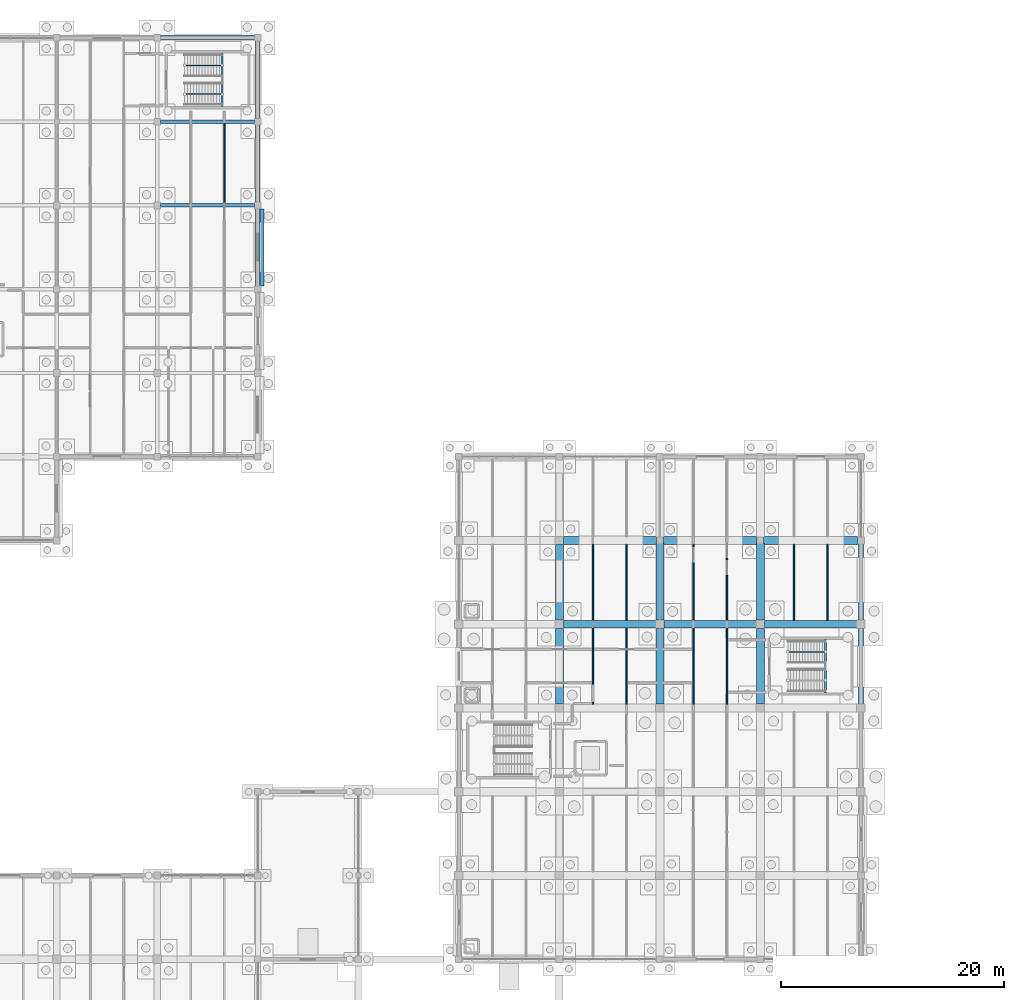
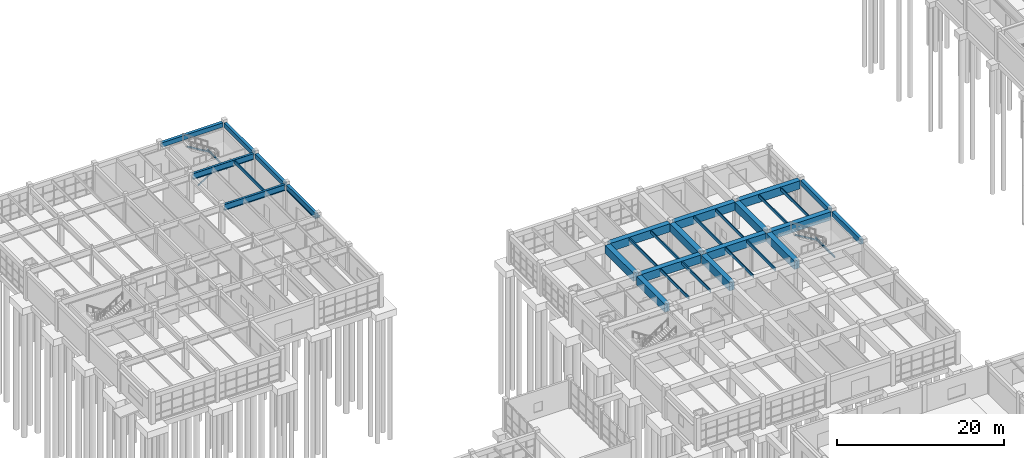
# One storey, part 37 of 93: 33 beams, 4 members.
"""IFC4 building model written with IfcOpenShell, lengths in metres."""

from ifc_helpers import new_model, si_unit, direction, frame, origin, origin_2d, place, context, subcontext, project, spatial, rectangle, hollow_rectangle, i_section, extrude, material, material_profile, profile_set, type_object, element, save


model = new_model("IFC4")

# Units and contexts
model_context = context("Model", 3, precision=1e-05, world=origin(), true_north=direction((0.0, 1.0)))
body_context = subcontext(model_context, "Body", "Model", "MODEL_VIEW")
ifc_project = project(units=[si_unit("LENGTHUNIT", "METRE"), si_unit("AREAUNIT", "SQUARE_METRE"), si_unit("VOLUMEUNIT", "CUBIC_METRE"), si_unit("PLANEANGLEUNIT", "RADIAN"), si_unit("MASSUNIT", "GRAM", prefix="KILO")], contexts=[model_context])

# Site, building, storey
site_placement = place(None, origin())
site = spatial("IfcSite", under=ifc_project, at=site_placement, CompositionType="ELEMENT")
building_placement = place(site_placement, origin())
building = spatial("IfcBuilding", under=site, at=building_placement, Name="Marnridge Secondary College", CompositionType="ELEMENT")
storey_placement = place(building_placement, origin())
storey = spatial("IfcBuildingStorey", under=building, at=storey_placement, Name="L00", CompositionType="ELEMENT", Elevation=0.0)

# Beams
ifc_material_1 = material(Name="Engineered timber LVL E13.2", Category="wood")
ifc_material_profile_1 = material_profile(ifc_material_1, rectangle(XDim=0.1259765625, YDim=0.449951171875, at=origin_2d()), Name="LVL 126x450")
ifc_profile_set_1 = profile_set([ifc_material_profile_1], Name="Engineered timber LVL E13.2")
beam_type_1 = type_object("IfcBeamType", Name="BM-LVL450-INT", PredefinedType="JOIST", material=ifc_profile_set_1)
for number, where, z_axis, x_axis, name in (
    (1, (66.0, 60.343994140625, 3.85498046875), (0.0, 1.0, 0.0), (-1.0, 0.0, 0.0), "Beam BJ-L00-0108"),
    (2, (69.0, 60.343994140625, 3.85498046875), (0.0, 1.0, 0.0), (-1.0, 0.0, 0.0), "Beam BJ-L00-0109"),
    (3, (66.0, 67.843994140625, 3.85498046875), (0.0, 1.0, 0.0), (-1.0, 0.0, 0.0), "Beam BJ-L00-0110"),
    (4, (69.0, 67.843994140625, 3.85498046875), (0.0, 1.0, 0.0), (-1.0, 0.0, 0.0), "Beam BJ-L00-0111"),
    (5, (75.0, 60.343994140625, 3.85498046875), (0.0, 1.0, 0.0), (-1.0, 0.0, 0.0), "Beam BJ-L00-0120"),
    (6, (78.0, 60.343994140625, 3.85498046875), (0.0, 1.0, 0.0), (-1.0, 0.0, 0.0), "Beam BJ-L00-0121"),
    (7, (75.0, 67.843994140625, 3.85498046875), (0.0, 1.0, 0.0), (-1.0, 0.0, 0.0), "Beam BJ-L00-0122"),
    (8, (78.0, 67.843994140625, 3.85498046875), (0.0, 1.0, 0.0), (-1.0, 0.0, 0.0), "Beam BJ-L00-0123"),
    (9, (84.0, 67.843994140625, 3.85498046875), (0.0, 1.0, 0.0), (-1.0, 0.0, 0.0), "Beam BJ-L00-0132"),
    (10, (87.0, 67.843994140625, 3.85498046875), (0.0, 1.0, 0.0), (-1.0, 0.0, 0.0), "Beam BJ-L00-0133"),
):
    element("IfcBeam", number, at=place(storey_placement, frame(where, z_axis=z_axis, x_axis=x_axis)), inside=storey, type_object=beam_type_1, Name=name, PredefinedType="JOIST", context=body_context, shape_type="SweptSolid", body=[
        extrude(rectangle(XDim=0.1259765625, YDim=0.449951171875, at=origin_2d()), origin(), (0.0, 0.0, 1.0), 6.81201171875),
    ])
beam_1_placement = place(storey_placement, frame((33.0, 105.14404296875, 3.875), z_axis=(0.0, 1.0, 0.0), x_axis=(-1.0, 0.0, 0.0)))
element("IfcBeam", 11, at=beam_1_placement, inside=storey, type_object=beam_type_1, Name="Beam BJ-L00-0310", PredefinedType="JOIST", context=body_context, shape_type="SweptSolid", body=[
    extrude(rectangle(XDim=0.1259765625, YDim=0.449951171875, at=origin_2d()), origin(), (0.0, 0.0, 1.0), 7.2119140625),
])
ifc_material_2 = material(Name="Concrete C40/50 (AS 3600 N40, 40 MPa)", Category="concrete")
ifc_material_profile_2 = material_profile(ifc_material_2, rectangle(XDim=0.39990234375, YDim=0.64990234375, at=origin_2d()), Name="RC 400x650")
ifc_profile_set_2 = profile_set([ifc_material_profile_2], Name="Concrete C40/50 (AS 3600 N40, 40 MPa)")
beam_type_2 = type_object("IfcBeamType", Name="BM-RC4065-EXT", PredefinedType="SPANDREL", material=ifc_profile_set_2)
for number, where, z_axis, x_axis, name in (
    (12, (36.0, 97.7939453125, 3.77490234375), (0.0, 1.0, 0.0), (-1.0, 0.0, 0.0), "Beam BS-L00-0266"),
    (13, (36.0, 105.2939453125, 3.77490234375), (0.0, 1.0, 0.0), (-1.0, 0.0, 0.0), "Beam BS-L00-0268"),
):
    element("IfcBeam", number, at=place(storey_placement, frame(where, z_axis=z_axis, x_axis=x_axis)), inside=storey, type_object=beam_type_2, Name=name, PredefinedType="SPANDREL", context=body_context, shape_type="SweptSolid", body=[
        extrude(rectangle(XDim=0.39990234375, YDim=0.64990234375, at=origin_2d()), origin(), (0.0, 0.0, 1.0), 6.912109375),
    ])
beam_2_placement = place(storey_placement, frame((27.2939453125, 120.0, 3.77490234375), z_axis=(1.0, 0.0, 0.0), x_axis=(0.0, 1.0, 0.0)))
element("IfcBeam", 14, at=beam_2_placement, inside=storey, type_object=beam_type_2, Name="Beam BS-L00-0269", PredefinedType="SPANDREL", context=body_context, shape_type="SweptSolid", body=[
    extrude(rectangle(XDim=0.39990234375, YDim=0.64990234375, at=origin_2d()), origin(), (0.0, 0.0, 1.0), 8.412109375),
])
beam_3_placement = place(storey_placement, frame((36.0, 112.7939453125, 3.77490234375), z_axis=(0.0, 1.0, 0.0), x_axis=(-1.0, 0.0, 0.0)))
element("IfcBeam", 15, at=beam_3_placement, inside=storey, type_object=beam_type_2, Name="Beam BS-L00-0270", PredefinedType="SPANDREL", context=body_context, shape_type="SweptSolid", body=[
    extrude(rectangle(XDim=0.39990234375, YDim=0.64990234375, at=origin_2d()), origin(), (0.0, 0.0, 1.0), 6.912109375),
])
ifc_material_3 = material(Name="Concrete C40/50 (AS 3600 N40, 40 MPa)", Category="concrete")
ifc_material_profile_3 = material_profile(ifc_material_3, rectangle(XDim=0.449951171875, YDim=0.75, at=origin_2d()), Name="RC 450x750")
ifc_profile_set_3 = profile_set([ifc_material_profile_3], Name="Concrete C40/50 (AS 3600 N40, 40 MPa)")
beam_type_3 = type_object("IfcBeamType", Name="BM-RC4575-EXT", PredefinedType="SPANDREL", material=ifc_profile_set_3)
beam_4_placement = place(storey_placement, frame((90.0, 60.368896484375, 3.705078125), z_axis=(0.0, 1.0, 0.0), x_axis=(-1.0, 0.0, 0.0)))
element("IfcBeam", 16, at=beam_4_placement, inside=storey, type_object=beam_type_3, Name="Beam BS-L00-0088", PredefinedType="SPANDREL", context=body_context, shape_type="SweptSolid", body=[
    extrude(rectangle(XDim=0.449951171875, YDim=0.75, at=origin_2d()), origin(), (0.0, 0.0, 1.0), 6.76220703125),
])
beam_5_placement = place(storey_placement, frame((90.0, 67.868896484375, 3.705078125), z_axis=(0.0, 1.0, 0.0), x_axis=(-1.0, 0.0, 0.0)))
element("IfcBeam", 17, at=beam_5_placement, inside=storey, type_object=beam_type_3, Name="Beam BS-L00-0090", PredefinedType="SPANDREL", context=body_context, shape_type="SweptSolid", body=[
    extrude(rectangle(XDim=0.449951171875, YDim=0.75, at=origin_2d()), origin(), (0.0, 0.0, 1.0), 6.837158203125),
])
ifc_material_4 = material(Name="Concrete C50/60 (AS 3600 N50, 50 MPa)", Category="concrete")
ifc_material_profile_4 = material_profile(ifc_material_4, rectangle(XDim=0.699951171875, YDim=1.199951171875, at=origin_2d()), Name="RC 700x1200")
ifc_profile_set_4 = profile_set([ifc_material_profile_4], Name="Concrete C50/60 (AS 3600 N50, 50 MPa)")
beam_type_4 = type_object("IfcBeamType", Name="BM-RC7012-INT", PredefinedType="BEAM", material=ifc_profile_set_4)
for number, where, z_axis, x_axis, name in (
    (18, (63.0, 60.368896484375, 3.47998046875), (0.0, 1.0, 0.0), (-1.0, 0.0, 0.0), "Beam B-L00-0047"),
    (19, (63.0, 67.868896484375, 3.47998046875), (0.0, 1.0, 0.0), (-1.0, 0.0, 0.0), "Beam B-L00-0050"),
):
    element("IfcBeam", number, at=place(storey_placement, frame(where, z_axis=z_axis, x_axis=x_axis)), inside=storey, type_object=beam_type_4, Name=name, PredefinedType="BEAM", context=body_context, shape_type="SweptSolid", body=[
        extrude(rectangle(XDim=0.699951171875, YDim=1.199951171875, at=origin_2d()), origin(), (0.0, 0.0, 1.0), 6.76220703125),
    ])
beam_6_placement = place(storey_placement, frame((63.368896484375, 67.5, 3.47998046875), z_axis=(1.0, 0.0, 0.0), x_axis=(0.0, 1.0, 0.0)))
element("IfcBeam", 20, at=beam_6_placement, inside=storey, type_object=beam_type_4, Name="Beam B-L00-0061", PredefinedType="BEAM", context=body_context, shape_type="SweptSolid", body=[
    extrude(rectangle(XDim=0.699951171875, YDim=1.199951171875, at=origin_2d()), origin(), (0.0, 0.0, 1.0), 8.26220703125),
])
beam_7_placement = place(storey_placement, frame((72.0, 60.368896484375, 3.47998046875), z_axis=(0.0, 1.0, 0.0), x_axis=(-1.0, 0.0, 0.0)))
element("IfcBeam", 21, at=beam_7_placement, inside=storey, type_object=beam_type_4, Name="Beam B-L00-0062", PredefinedType="BEAM", context=body_context, shape_type="SweptSolid", body=[
    extrude(rectangle(XDim=0.699951171875, YDim=1.199951171875, at=origin_2d()), origin(), (0.0, 0.0, 1.0), 6.76220703125),
])
beam_8_placement = place(storey_placement, frame((63.368896484375, 75.0, 3.47998046875), z_axis=(1.0, 0.0, 0.0), x_axis=(0.0, 1.0, 0.0)))
element("IfcBeam", 22, at=beam_8_placement, inside=storey, type_object=beam_type_4, Name="Beam B-L00-0063", PredefinedType="BEAM", context=body_context, shape_type="SweptSolid", body=[
    extrude(rectangle(XDim=0.699951171875, YDim=1.199951171875, at=origin_2d()), origin(), (0.0, 0.0, 1.0), 8.337158203125),
])
beam_9_placement = place(storey_placement, frame((72.0, 67.868896484375, 3.47998046875), z_axis=(0.0, 1.0, 0.0), x_axis=(-1.0, 0.0, 0.0)))
element("IfcBeam", 23, at=beam_9_placement, inside=storey, type_object=beam_type_4, Name="Beam B-L00-0064", PredefinedType="BEAM", context=body_context, shape_type="SweptSolid", body=[
    extrude(rectangle(XDim=0.699951171875, YDim=1.199951171875, at=origin_2d()), origin(), (0.0, 0.0, 1.0), 6.837158203125),
])
beam_10_placement = place(storey_placement, frame((72.368896484375, 67.5, 3.47998046875), z_axis=(1.0, 0.0, 0.0), x_axis=(0.0, 1.0, 0.0)))
element("IfcBeam", 24, at=beam_10_placement, inside=storey, type_object=beam_type_4, Name="Beam B-L00-0074", PredefinedType="BEAM", context=body_context, shape_type="SweptSolid", body=[
    extrude(rectangle(XDim=0.699951171875, YDim=1.199951171875, at=origin_2d()), origin(), (0.0, 0.0, 1.0), 8.26220703125),
])
beam_11_placement = place(storey_placement, frame((81.0, 60.368896484375, 3.47998046875), z_axis=(0.0, 1.0, 0.0), x_axis=(-1.0, 0.0, 0.0)))
element("IfcBeam", 25, at=beam_11_placement, inside=storey, type_object=beam_type_4, Name="Beam B-L00-0075", PredefinedType="BEAM", context=body_context, shape_type="SweptSolid", body=[
    extrude(rectangle(XDim=0.699951171875, YDim=1.199951171875, at=origin_2d()), origin(), (0.0, 0.0, 1.0), 6.76220703125),
])
beam_12_placement = place(storey_placement, frame((72.2939453125, 75.0, 3.47998046875), z_axis=(1.0, 0.0, 0.0), x_axis=(0.0, 1.0, 0.0)))
element("IfcBeam", 26, at=beam_12_placement, inside=storey, type_object=beam_type_4, Name="Beam B-L00-0076", PredefinedType="BEAM", context=body_context, shape_type="SweptSolid", body=[
    extrude(rectangle(XDim=0.699951171875, YDim=1.199951171875, at=origin_2d()), origin(), (0.0, 0.0, 1.0), 8.412109375),
])
beam_13_placement = place(storey_placement, frame((81.0, 67.868896484375, 3.47998046875), z_axis=(0.0, 1.0, 0.0), x_axis=(-1.0, 0.0, 0.0)))
element("IfcBeam", 27, at=beam_13_placement, inside=storey, type_object=beam_type_4, Name="Beam B-L00-0077", PredefinedType="BEAM", context=body_context, shape_type="SweptSolid", body=[
    extrude(rectangle(XDim=0.699951171875, YDim=1.199951171875, at=origin_2d()), origin(), (0.0, 0.0, 1.0), 6.837158203125),
])
beam_14_placement = place(storey_placement, frame((81.368896484375, 67.5, 3.47998046875), z_axis=(1.0, 0.0, 0.0), x_axis=(0.0, 1.0, 0.0)))
element("IfcBeam", 28, at=beam_14_placement, inside=storey, type_object=beam_type_4, Name="Beam B-L00-0087", PredefinedType="BEAM", context=body_context, shape_type="SweptSolid", body=[
    extrude(rectangle(XDim=0.699951171875, YDim=1.199951171875, at=origin_2d()), origin(), (0.0, 0.0, 1.0), 8.26220703125),
])
beam_15_placement = place(storey_placement, frame((81.2939453125, 75.0, 3.47998046875), z_axis=(1.0, 0.0, 0.0), x_axis=(0.0, 1.0, 0.0)))
element("IfcBeam", 29, at=beam_15_placement, inside=storey, type_object=beam_type_4, Name="Beam B-L00-0089", PredefinedType="BEAM", context=body_context, shape_type="SweptSolid", body=[
    extrude(rectangle(XDim=0.699951171875, YDim=1.199951171875, at=origin_2d()), origin(), (0.0, 0.0, 1.0), 8.412109375),
])
ifc_material_5 = material(Name="Structural steel Grade 350 (AS/NZS 3679.1/.2, fy = 340-360 MPa)", Category="steel")
ifc_material_profile_5 = material_profile(ifc_material_5, i_section(OverallWidth=0.146240234375, OverallDepth=0.256103515625, WebThickness=0.00634765625, FlangeThickness=0.010986328125, FilletRadius=0.0087890625, at=origin_2d()), Name="250UB37.3")
ifc_profile_set_5 = profile_set([ifc_material_profile_5], Name="Structural steel Grade 350 (AS/NZS 3679.1/.2, fy = 340-360 MPa)")
beam_type_5 = type_object("IfcBeamType", Name="BM-UB250-EXT", PredefinedType="LINTEL", material=ifc_profile_set_5)
for number, where, z_axis, x_axis, name in (
    (30, (86.830078125, 61.342041015625, 1.921875), (0.0, 1.0, 0.0), (-1.0, 0.0, 0.0), "Stair landing trimmer beam BT-L00-011"),
    (31, (32.830078125, 113.842041015625, 1.921875), (0.0, 1.0, 0.0), (-1.0, 0.0, 0.0), "Stair landing trimmer beam BT-L00-043"),
):
    element("IfcBeam", number, at=place(storey_placement, frame(where, z_axis=z_axis, x_axis=x_axis)), inside=storey, type_object=beam_type_5, Name=name, PredefinedType="LINTEL", context=body_context, shape_type="SweptSolid", body=[
        extrude(i_section(OverallWidth=0.146240234375, OverallDepth=0.256103515625, WebThickness=0.00634765625, FlangeThickness=0.010986328125, FilletRadius=0.0087890625, at=origin_2d()), origin(), (0.0, 0.0, 1.0), 4.802978515625),
    ])
ifc_material_6 = material(Name="Structural steel Grade 350 (AS/NZS 3679.1/.2, fy = 340-360 MPa)", Category="steel")
ifc_material_profile_6 = material_profile(ifc_material_6, i_section(OverallWidth=0.300048828125, OverallDepth=0.89990234375, WebThickness=0.011962890625, FlangeThickness=0.02001953125, at=origin_2d()), Name="900WB175")
ifc_profile_set_6 = profile_set([ifc_material_profile_6], Name="Structural steel Grade 350 (AS/NZS 3679.1/.2, fy = 340-360 MPa)")
beam_type_6 = type_object("IfcBeamType", Name="BM-WB900-INT", PredefinedType="BEAM", material=ifc_profile_set_6)
for number, where, z_axis, x_axis, name in (
    (32, (27.2939453125, 105.0, 3.64990234375), (1.0, 0.0, 0.0), (0.0, 1.0, 0.0), "Beam B-L00-0265"),
    (33, (27.2939453125, 112.5, 3.64990234375), (1.0, 0.0, 0.0), (0.0, 1.0, 0.0), "Beam B-L00-0267"),
):
    element("IfcBeam", number, at=place(storey_placement, frame(where, z_axis=z_axis, x_axis=x_axis)), inside=storey, type_object=beam_type_6, Name=name, PredefinedType="BEAM", context=body_context, shape_type="SweptSolid", body=[
        extrude(i_section(OverallWidth=0.300048828125, OverallDepth=0.89990234375, WebThickness=0.011962890625, FlangeThickness=0.02001953125, at=origin_2d()), origin(), (0.0, 0.0, 1.0), 8.412109375),
    ])

# Members
ifc_material_7 = material(Name="Precast concrete C40/50 (AS 3600 N40, 40 MPa)", Category="concrete")
ifc_material_profile_7 = material_profile(ifc_material_7, rectangle(XDim=0.139892578125, YDim=0.75, at=origin_2d()), Name="FIN PC 140x750")
ifc_profile_set_7 = profile_set([ifc_material_profile_7], Name="Precast concrete C40/50 (AS 3600 N40, 40 MPa)")
member_type_1 = type_object("IfcMemberType", Name="MB-FIN-PC750", PredefinedType="USERDEFINED", material=ifc_profile_set_7)
member_1_placement = place(storey_placement, frame((36.159912109375, 104.699951171875, 3.362060546875), z_axis=(0.0, -1.0, 0.0), x_axis=(0.0, 0.0, 1.0)))
element("IfcMember", 34, at=member_1_placement, inside=storey, type_object=member_type_1, Name="Solar shading fin SFN-0016", ObjectType="SOLAR FIN", PredefinedType="USERDEFINED", context=body_context, shape_type="SweptSolid", body=[
    extrude(rectangle(XDim=0.139892578125, YDim=0.75, at=origin_2d()), origin(), (0.0, 0.0, 1.0), 6.89990234375),
])
ifc_material_8 = material(Name="Cold-formed steel Grade C350L0 (AS/NZS 1163, fy = 350 MPa)", Category="steel")
ifc_material_profile_8 = material_profile(ifc_material_8, hollow_rectangle(XDim=0.10009765625, YDim=0.199951171875, WallThickness=0.006103515625, at=origin_2d()), Name="200x100x6.0RHS")
ifc_profile_set_8 = profile_set([ifc_material_profile_8], Name="Cold-formed steel Grade C350L0 (AS/NZS 1163, fy = 350 MPa)")
member_type_2 = type_object("IfcMemberType", Name="MB-STR-RHS200", PredefinedType="STRINGER", material=ifc_profile_set_8)
member_2_placement = place(storey_placement, frame((86.830078125, 65.030029296875, 2.14208984375), z_axis=(-0.857274309242, 0.0, 0.51485994087), x_axis=(0.0, -1.0, 0.0)))
element("IfcMember", 35, at=member_2_placement, inside=storey, type_object=member_type_2, Name="Stair stringer STR-012", PredefinedType="STRINGER", context=body_context, shape_type="SweptSolid", body=[
    extrude(hollow_rectangle(XDim=0.10009765625, YDim=0.199951171875, WallThickness=0.006103515625, at=origin_2d()), origin(), (0.0, 0.0, 1.0), 3.94287109375),
])
member_3_placement = place(storey_placement, frame((29.449951171875, 114.969970703125, 0.014892578125), z_axis=(0.846349195689, 0.0, 0.532628424849), x_axis=(0.0, 1.0, 0.0)))
element("IfcMember", 36, at=member_3_placement, inside=storey, type_object=member_type_2, Name="Stair stringer STR-043", PredefinedType="STRINGER", context=body_context, shape_type="SweptSolid", body=[
    extrude(hollow_rectangle(XDim=0.10009765625, YDim=0.199951171875, WallThickness=0.006103515625, at=origin_2d()), origin(), (0.0, 0.0, 1.0), 3.99365234375),
])
member_4_placement = place(storey_placement, frame((32.830078125, 117.530029296875, 2.14208984375), z_axis=(-0.855058437662, 0.0, 0.51853164627), x_axis=(0.0, -1.0, 0.0)))
element("IfcMember", 37, at=member_4_placement, inside=storey, type_object=member_type_2, Name="Stair stringer STR-044", PredefinedType="STRINGER", context=body_context, shape_type="SweptSolid", body=[
    extrude(hollow_rectangle(XDim=0.10009765625, YDim=0.199951171875, WallThickness=0.006103515625, at=origin_2d()), origin(), (0.0, 0.0, 1.0), 3.953125),
])

save(model, "model.ifc")
